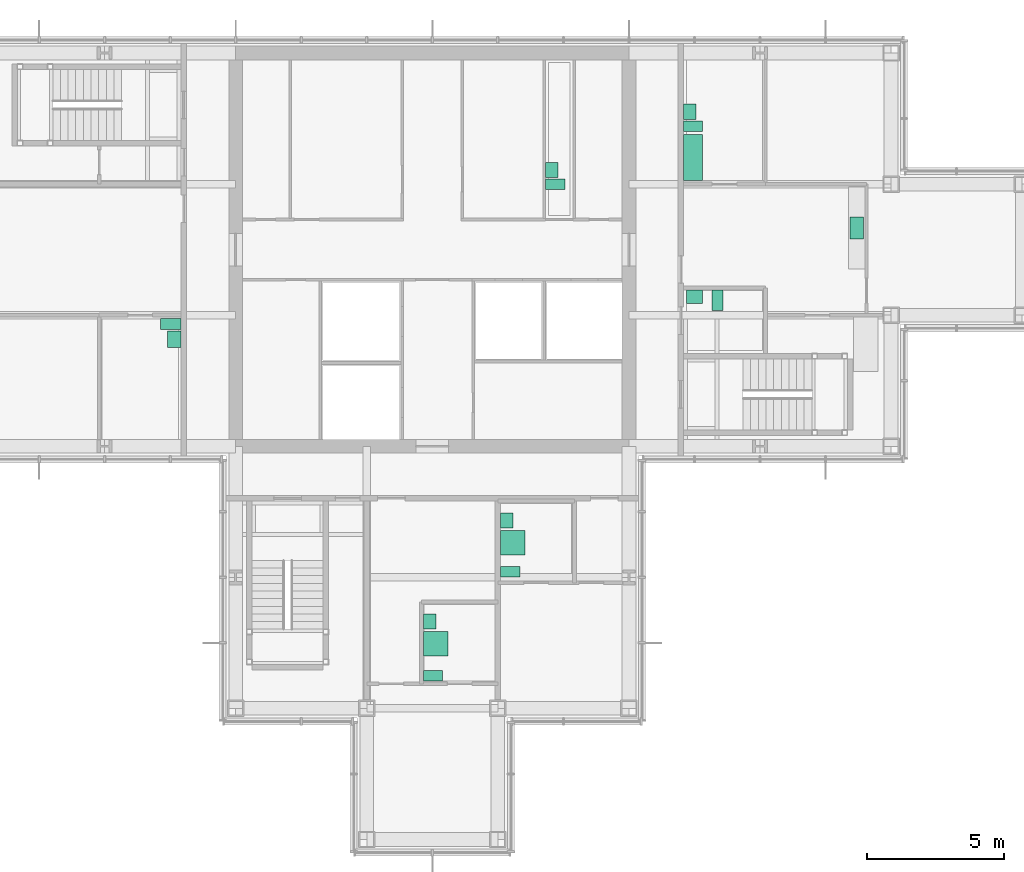
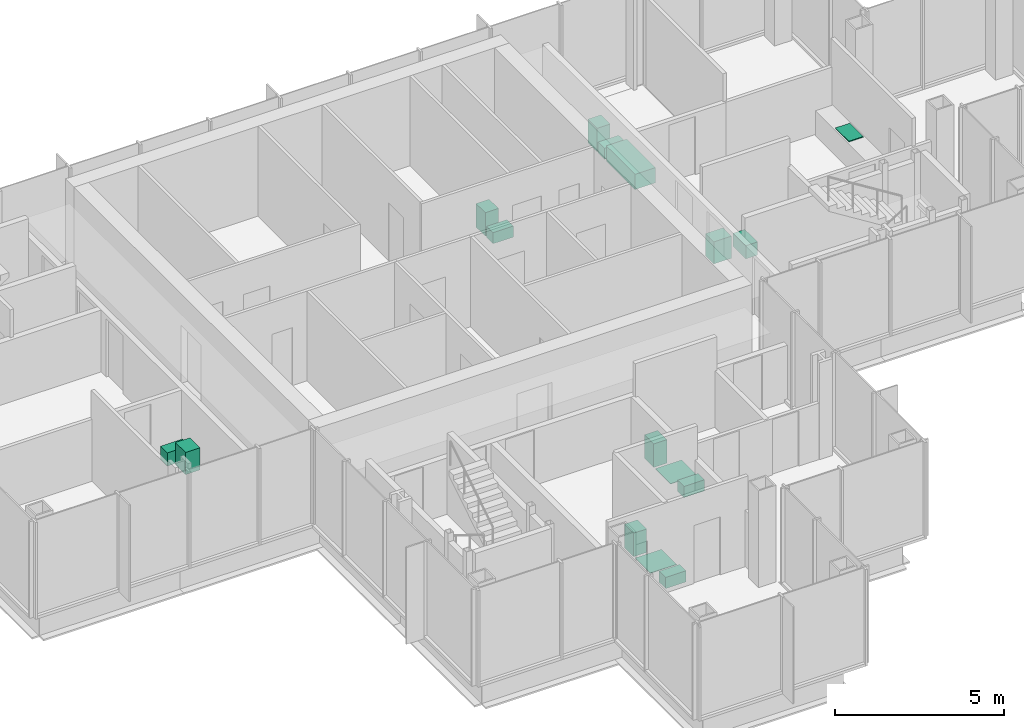
# One storey, part 14 of 15: 16 sanitary terminals.
"""IFC4 building model written with IfcOpenShell, lengths in metres."""

import ifcopenshell
import ifcopenshell.guid

model = None  # the IFC model being written
_history = None  # IfcOwnerHistory: only IFC2X3 demands one
_inside = {}  # id of a spatial element -> (the spatial element, [elements in it])
_under = {}  # id of a project, library or spatial element -> (it, [spatial elements below it])
_declared = {}  # id of a project -> (the project, [libraries it declares])
_typed = {}  # id of a type object -> (the type object, [elements of that type])
_made_of = {}  # id of a material, layer set ... -> (it, [elements and type objects made of it])


def new_model(schema):
    """Start an empty IFC model of exactly this schema.

    Asked for "IFC4X3", IfcOpenShell would pick the latest addendum, in which some entities
    have other attributes; the version numbers below select the first issue.
    IFC2X3 requires an IfcOwnerHistory on every rooted entity: one is made here for all.
    """
    global model, _history
    if schema == "IFC4X3":
        model = ifcopenshell.file(schema_version=(4, 3, 0, 0))
    else:
        model = ifcopenshell.file(schema=schema)
    _inside.clear()
    _under.clear()
    _declared.clear()
    _typed.clear()
    _made_of.clear()
    _history = None
    if model.schema == "IFC2X3":
        org = make("IfcOrganization", Name="unknown")
        user = make(
            "IfcPersonAndOrganization",
            ThePerson=make("IfcPerson", FamilyName="unknown"),
            TheOrganization=org,
        )
        app = make(
            "IfcApplication",
            ApplicationDeveloper=org,
            Version="unknown",
            ApplicationFullName="unknown",
            ApplicationIdentifier="unknown",
        )
        _history = make(
            "IfcOwnerHistory",
            OwningUser=user,
            OwningApplication=app,
            ChangeAction="ADDED",
            CreationDate=0,
        )
    return model


def make(cls, **values):
    """One entity of the class cls with the attributes given. An attribute that is None is left unset."""
    return model.create_entity(
        cls, **{name: value for name, value in values.items() if value is not None}
    )


def rooted(cls, **values):
    """An entity with a GlobalId (a new one), such as an element, a storey or a relation."""
    return make(cls, GlobalId=ifcopenshell.guid.new(), OwnerHistory=_history, **values)


def si_unit(unit_type, name, prefix=None):
    """IfcSIUnit, for example si_unit("LENGTHUNIT", "METRE", prefix="MILLI")."""
    return make("IfcSIUnit", UnitType=unit_type, Prefix=prefix, Name=name)


def assignment(units):
    """IfcUnitAssignment: the units of a project."""
    return None if units is None else make("IfcUnitAssignment", Units=units)


def point(xyz):
    """IfcCartesianPoint."""
    return None if xyz is None else make("IfcCartesianPoint", Coordinates=xyz)


def direction(xyz):
    """IfcDirection."""
    return None if xyz is None else make("IfcDirection", DirectionRatios=xyz)


def frame(location, z_axis=None, x_axis=None):
    """IfcAxis2Placement3D, a coordinate frame: its origin and axes. An axis left out is left unset."""
    return make(
        "IfcAxis2Placement3D",
        Location=point(location),
        Axis=direction(z_axis),
        RefDirection=direction(x_axis),
    )


def frame_2d(location, x_axis=None):
    """IfcAxis2Placement2D, a coordinate frame in the plane: its origin and x axis."""
    return make(
        "IfcAxis2Placement2D", Location=point(location), RefDirection=direction(x_axis)
    )


def origin():
    """The frame at (0, 0, 0) with its axes left unset."""
    return frame((0.0, 0.0, 0.0))


def origin_2d():
    """The frame at (0, 0) in the plane with its x axis left unset."""
    return frame_2d((0.0, 0.0))


def place(relative_to, where):
    """IfcLocalPlacement: puts the frame where relative to a parent placement (None: the world)."""
    return make(
        "IfcLocalPlacement", PlacementRelTo=relative_to, RelativePlacement=where
    )


def context(
    kind, dimensions, precision=None, world=None, true_north=None, identifier=None
):
    """IfcGeometricRepresentationContext, for example the 3D "Model" context."""
    return make(
        "IfcGeometricRepresentationContext",
        ContextIdentifier=identifier,
        ContextType=kind,
        CoordinateSpaceDimension=dimensions,
        Precision=precision,
        WorldCoordinateSystem=world,
        TrueNorth=true_north,
    )


def subcontext(parent, identifier, kind, view, scale=None):
    """IfcGeometricRepresentationSubContext, for example "Body" below "Model"."""
    return make(
        "IfcGeometricRepresentationSubContext",
        ContextIdentifier=identifier,
        ContextType=kind,
        ParentContext=parent,
        TargetScale=scale,
        TargetView=view,
    )


def project(units=None, contexts=None):
    """IfcProject with its units and contexts."""
    return rooted(
        "IfcProject",
        Name="project",
        RepresentationContexts=contexts,
        UnitsInContext=assignment(units),
    )


def spatial(cls, under=None, at=None, **own):
    """A site, building, storey or space (cls), placed at a placement, below another one or the project."""
    s = rooted(cls, ObjectPlacement=at, **own)
    if under is not None:
        _under.setdefault(under.id(), (under, []))[1].append(s)
    return s


def profile(cls, at=None, kind="AREA", **sizes):
    """A parametric profile (cls). Its sizes go by their IFC names, for example OverallWidth=200.0."""
    return make(cls, ProfileType=kind, Position=at, **sizes)


def rectangle(**sizes):
    """IfcRectangleProfileDef."""
    return profile("IfcRectangleProfileDef", **sizes)


def extrude(swept, where, along, depth):
    """IfcExtrudedAreaSolid: the profile swept, set in the frame where, extruded along a direction by depth."""
    return make(
        "IfcExtrudedAreaSolid",
        SweptArea=swept,
        Position=where,
        ExtrudedDirection=direction(along),
        Depth=depth,
    )


def shape(context_of_items, identifier, shape_type, items):
    """IfcShapeRepresentation: the items that make up one representation, for example the "Body"."""
    return make(
        "IfcShapeRepresentation",
        ContextOfItems=context_of_items,
        RepresentationIdentifier=identifier,
        RepresentationType=shape_type,
        Items=items,
    )


def material(Name=None, Category=None):
    """IfcMaterial."""
    return make("IfcMaterial", Name=Name, Category=Category)


def made_of(thing, what):
    """Note that an element or type object is made of a material, layer set ...; save() writes the relation."""
    if what is not None:
        _made_of.setdefault(what.id(), (what, []))[1].append(thing)
    return thing


def type_object(cls, material=None, **own):
    """A type object (cls), such as IfcWallType, which elements share."""
    return made_of(rooted(cls, **own), material)


def element(
    cls,
    number,
    at=None,
    inside=None,
    cuts=None,
    type_object=None,
    material=None,
    context=None,
    identifier="Body",
    shape_type=None,
    held_by="IfcProductDefinitionShape",
    body=None,
    shapes=None,
    **own,
):
    """One element of the class cls, such as IfcWall. Its Tag is "e" and its number.

    at: its placement. inside: the storey or other place that contains it. cuts: it is an
    opening in that element (IfcRelVoidsElement). A single representation is given by context,
    identifier, shape_type and body (its items); several are given by shapes. held_by: the class
    of the entity that holds the representations. save() writes the other relations.
    """
    e = rooted(cls, Tag="e%d" % number, ObjectPlacement=at, **own)
    if body is not None:
        shapes = [shape(context, identifier, shape_type, body)]
    if shapes is not None:
        e.Representation = make(held_by, Representations=shapes)
    if inside is not None:
        _inside.setdefault(inside.id(), (inside, []))[1].append(e)
    if cuts is not None:
        rooted(
            "IfcRelVoidsElement", RelatingBuildingElement=cuts, RelatedOpeningElement=e
        )
    if type_object is not None:
        _typed.setdefault(type_object.id(), (type_object, []))[1].append(e)
    return made_of(e, material)


def aggregate(whole, parts):
    """IfcRelAggregates: a whole, such as a stair, and the parts it consists of."""
    return rooted("IfcRelAggregates", RelatingObject=whole, RelatedObjects=parts)


def save(model, path):
    """Write the relations noted so far, then the file.

    IfcRelAggregates (storeys below a building ...), IfcRelContainedInSpatialStructure (elements
    in a storey), IfcRelDefinesByType, IfcRelAssociatesMaterial and IfcRelDeclares: one each for
    every whole, place, type object, material and project.
    """
    for whole, parts in _under.values():
        aggregate(whole, parts)
    for where, things in _inside.values():
        rooted(
            "IfcRelContainedInSpatialStructure",
            RelatedElements=things,
            RelatingStructure=where,
        )
    for kind, things in _typed.values():
        rooted("IfcRelDefinesByType", RelatedObjects=things, RelatingType=kind)
    for what, things in _made_of.values():
        rooted("IfcRelAssociatesMaterial", RelatedObjects=things, RelatingMaterial=what)
    for by, libraries in _declared.values():
        rooted("IfcRelDeclares", RelatingContext=by, RelatedDefinitions=libraries)
    model.write(path)


model = new_model("IFC4")

# Units and contexts
model_context = context("Model", 3, precision=1e-05, world=origin(), true_north=direction((0.0, 1.0)))
body_context = subcontext(model_context, "Body", "Model", "MODEL_VIEW")
ifc_project = project(units=[si_unit("LENGTHUNIT", "METRE"), si_unit("AREAUNIT", "SQUARE_METRE"), si_unit("VOLUMEUNIT", "CUBIC_METRE"), si_unit("PLANEANGLEUNIT", "RADIAN"), si_unit("MASSUNIT", "GRAM", prefix="KILO")], contexts=[model_context])

# Site, building, storey
site_placement = place(None, origin())
site = spatial("IfcSite", under=ifc_project, at=site_placement, CompositionType="ELEMENT")
building_placement = place(site_placement, origin())
building = spatial("IfcBuilding", under=site, at=building_placement, Name="Kvirike Care Tower", CompositionType="ELEMENT")
storey_placement = place(building_placement, frame((0.0, 0.0, 240.0)))
storey = spatial("IfcBuildingStorey", under=building, at=storey_placement, Name="L66", CompositionType="ELEMENT", Elevation=240.0)

# Sanitary terminals
ifc_material_1 = material(Name="Vitreous china", Category="ceramic")
sanitary_terminal_type_1 = type_object("IfcSanitaryTerminalType", Name="ACCESSIBLE WASH BASIN 600 x 500", PredefinedType="WASHHANDBASIN", material=ifc_material_1)
for number, where, z_axis, x_axis, name in (
    (1, (12.14794921875, 32.72509765625, 0.02001953125), (0.0, 0.0, 1.0), (0.0, -1.0, 0.0), "Accessible wash basin L66-006"),
    (2, (31.199951171875, 34.27294921875, 0.02001953125), (0.0, 0.0, 1.0), (1.0, 0.0, 0.0), "Accessible wash basin L66-021"),
):
    element("IfcSanitaryTerminal", number, at=place(storey_placement, frame(where, z_axis=z_axis, x_axis=x_axis)), inside=storey, type_object=sanitary_terminal_type_1, Name=name, PredefinedType="WASHHANDBASIN", context=body_context, shape_type="SweptSolid", body=[
        extrude(rectangle(XDim=0.60009765625, YDim=0.5, at=origin_2d()), origin(), (0.0, 0.0, 1.0), 0.800048828125),
    ])
ifc_material_2 = material(Name="Vitreous china", Category="ceramic")
sanitary_terminal_type_2 = type_object("IfcSanitaryTerminalType", Name="ACCESSIBLE WC PAN 400 x 750", PredefinedType="TOILETPAN", material=ifc_material_2)
for number, where, z_axis, x_axis, name in (
    (3, (12.02294921875, 33.27490234375, 0.02001953125), (0.0, 0.0, 1.0), (0.0, -1.0, 0.0), "Accessible WC pan L66-006"),
    (4, (32.050048828125, 34.14794921875, 0.02001953125), (0.0, 0.0, 1.0), (1.0, 0.0, 0.0), "Accessible WC pan L66-021"),
):
    element("IfcSanitaryTerminal", number, at=place(storey_placement, frame(where, z_axis=z_axis, x_axis=x_axis)), inside=storey, type_object=sanitary_terminal_type_2, Name=name, PredefinedType="TOILETPAN", context=body_context, shape_type="SweptSolid", body=[
        extrude(rectangle(XDim=0.39990234375, YDim=0.75, at=origin_2d()), origin(), (0.0, 0.0, 1.0), 0.47998046875),
    ])
ifc_material_3 = material(Name="Enamelled steel", Category="steel")
sanitary_terminal_type_3 = type_object("IfcSanitaryTerminalType", Name="BATH 1700 x 700", PredefinedType="BATH", material=ifc_material_3)
sanitary_terminal_1_placement = place(storey_placement, frame((31.152099609375, 39.375, 0.02001953125), z_axis=(0.0, 0.0, 1.0), x_axis=(0.0, 1.0, 0.0)))
element("IfcSanitaryTerminal", 5, at=sanitary_terminal_1_placement, inside=storey, type_object=sanitary_terminal_type_3, Name="Bath L66-022", PredefinedType="BATH", context=body_context, shape_type="SweptSolid", body=[
    extrude(rectangle(XDim=1.699951171875, YDim=0.699951171875, at=origin_2d()), origin(), (0.0, 0.0, 1.0), 0.550048828125),
])
ifc_material_4 = material(Name="Stainless steel", Category="steel")
sanitary_terminal_type_4 = type_object("IfcSanitaryTerminalType", Name="KITCHEN SINK 800 x 500", PredefinedType="SINK", material=ifc_material_4)
sanitary_terminal_2_placement = place(storey_placement, frame((37.137939453125, 36.7900390625, 0.89990234375), z_axis=(0.0, 0.0, 1.0), x_axis=(0.0, -1.0, 0.0)))
element("IfcSanitaryTerminal", 6, at=sanitary_terminal_2_placement, inside=storey, type_object=sanitary_terminal_type_4, Name="Kitchen sink L66-023", PredefinedType="SINK", context=body_context, shape_type="SweptSolid", body=[
    extrude(rectangle(XDim=0.800048828125, YDim=0.5, at=origin_2d()), origin(), (0.0, 0.0, 1.0), 0.030029296875),
])
ifc_material_5 = material(Name="Stainless steel", Category="steel")
sanitary_terminal_type_5 = type_object("IfcSanitaryTerminalType", Name="LEVEL-ACCESS SHOWER 900 x 900", PredefinedType="SHOWER", material=ifc_material_5)
for number, where, z_axis, x_axis, name in (
    (7, (21.72705078125, 21.56005859375, 0.02001953125), (0.0, 0.0, 1.0), (0.0, 1.0, 0.0), "Level-access shower L66-012"),
    (8, (24.552001953125, 25.260009765625, 0.02001953125), (0.0, 0.0, 1.0), (0.0, 1.0, 0.0), "Level-access shower L66-015"),
):
    element("IfcSanitaryTerminal", number, at=place(storey_placement, frame(where, z_axis=z_axis, x_axis=x_axis)), inside=storey, type_object=sanitary_terminal_type_5, Name=name, PredefinedType="SHOWER", context=body_context, shape_type="SweptSolid", body=[
        extrude(rectangle(XDim=0.89990234375, YDim=0.89990234375, at=origin_2d()), origin(), (0.0, 0.0, 1.0), 0.02001953125),
    ])
ifc_material_6 = material(Name="Vitreous china", Category="ceramic")
sanitary_terminal_type_6 = type_object("IfcSanitaryTerminalType", Name="WASH BASIN 550 x 450", PredefinedType="WASHHANDBASIN", material=ifc_material_6)
for number, where, z_axis, x_axis, name in (
    (9, (21.501953125, 22.385009765625, 0.02001953125), (0.0, 0.0, 1.0), (0.0, 1.0, 0.0), "Wash basin L66-012"),
    (10, (24.326904296875, 26.0849609375, 0.02001953125), (0.0, 0.0, 1.0), (0.0, 1.0, 0.0), "Wash basin L66-015"),
    (11, (31.027099609375, 41.050048828125, 0.02001953125), (0.0, 0.0, 1.0), (0.0, 1.0, 0.0), "Wash basin L66-022"),
    (12, (25.97705078125, 38.925048828125, 0.02001953125), (0.0, 0.0, 1.0), (0.0, 1.0, 0.0), "Wash basin L66-030"),
):
    element("IfcSanitaryTerminal", number, at=place(storey_placement, frame(where, z_axis=z_axis, x_axis=x_axis)), inside=storey, type_object=sanitary_terminal_type_6, Name=name, PredefinedType="WASHHANDBASIN", context=body_context, shape_type="SweptSolid", body=[
        extrude(rectangle(XDim=0.550048828125, YDim=0.449951171875, at=origin_2d()), origin(), (0.0, 0.0, 1.0), 0.85009765625),
    ])
ifc_material_7 = material(Name="Vitreous china", Category="ceramic")
sanitary_terminal_type_7 = type_object("IfcSanitaryTerminalType", Name="WC PAN 380 x 700", PredefinedType="TOILETPAN", material=ifc_material_7)
for number, where, z_axis, x_axis, name in (
    (13, (21.626953125, 20.39990234375, 0.02001953125), (0.0, 0.0, 1.0), (0.0, 1.0, 0.0), "WC pan L66-012"),
    (14, (24.451904296875, 24.199951171875, 0.02001953125), (0.0, 0.0, 1.0), (0.0, 1.0, 0.0), "WC pan L66-015"),
    (15, (31.152099609375, 40.514892578125, 0.02001953125), (0.0, 0.0, 1.0), (0.0, 1.0, 0.0), "WC pan L66-022"),
    (16, (26.10205078125, 38.389892578125, 0.02001953125), (0.0, 0.0, 1.0), (0.0, 1.0, 0.0), "WC pan L66-030"),
):
    element("IfcSanitaryTerminal", number, at=place(storey_placement, frame(where, z_axis=z_axis, x_axis=x_axis)), inside=storey, type_object=sanitary_terminal_type_7, Name=name, PredefinedType="TOILETPAN", context=body_context, shape_type="SweptSolid", body=[
        extrude(rectangle(XDim=0.3798828125, YDim=0.699951171875, at=origin_2d()), origin(), (0.0, 0.0, 1.0), 0.39990234375),
    ])

save(model, "model.ifc")
